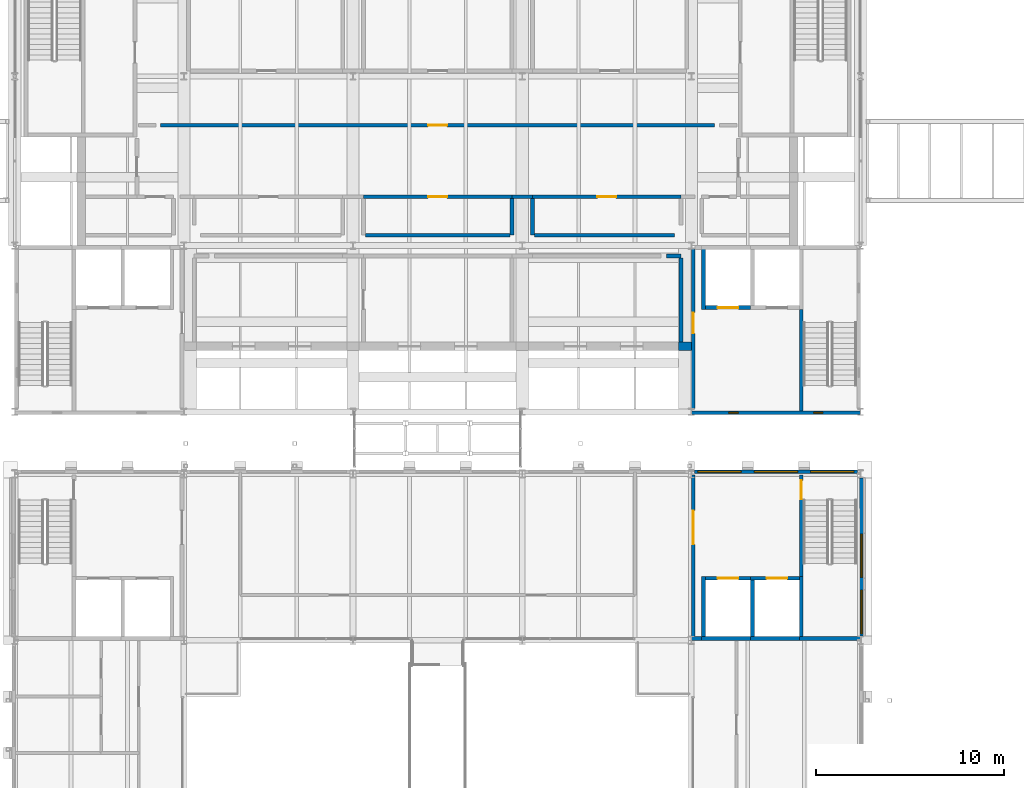
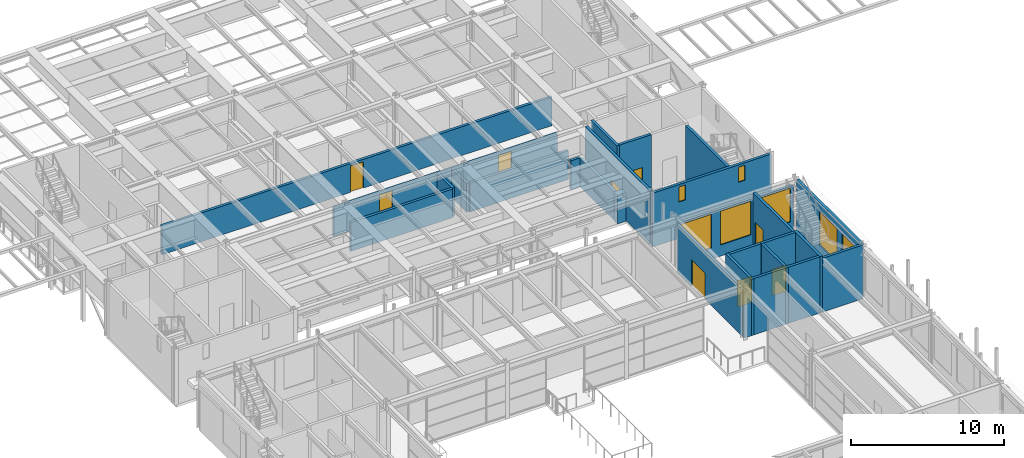
# One storey, part 105 of 153: 29 walls, 9 doors, 7 windows, 16 openings.
"""IFC4 building model written with IfcOpenShell, lengths in metres."""

from ifc_helpers import new_model, si_unit, direction, frame, frame_2d, origin, place, context, subcontext, project, spatial, rectangle, extrude, material, layer, layer_set, type_object, element, fill, save


model = new_model("IFC4")

# Units and contexts
model_context = context("Model", 3, precision=1e-05, world=origin(), true_north=direction((0.0, 1.0)))
body_context = subcontext(model_context, "Body", "Model", "MODEL_VIEW")
ifc_project = project(units=[si_unit("LENGTHUNIT", "METRE"), si_unit("AREAUNIT", "SQUARE_METRE"), si_unit("VOLUMEUNIT", "CUBIC_METRE"), si_unit("PLANEANGLEUNIT", "RADIAN"), si_unit("MASSUNIT", "GRAM", prefix="KILO")], contexts=[model_context])

# Site, building, storey
site_placement = place(None, origin())
site = spatial("IfcSite", under=ifc_project, at=site_placement, CompositionType="ELEMENT")
building_placement = place(site_placement, origin())
building = spatial("IfcBuilding", under=site, at=building_placement, Name="Kallimachos Central Library", CompositionType="ELEMENT")
storey_placement = place(building_placement, frame((0.0, 0.0, 5.39990234375)))
storey = spatial("IfcBuildingStorey", under=building, at=storey_placement, Name="L01", CompositionType="ELEMENT", Elevation=5.39990234375)

# Wall
ifc_material_1 = material(Name="Bronze-anodised aluminium louvres on blockwork", Category="masonry")
ifc_layer_1 = layer(ifc_material_1, 0.449951171875)
ifc_layer_set_1 = layer_set([ifc_layer_1], Name="Bronze louvre enclosure wall 450")
wall_type_1 = type_object("IfcWallType", Name="Bronze louvre enclosure wall 450", PredefinedType="SOLIDWALL", material=ifc_layer_set_1)
wall_1_placement = place(storey_placement, frame((100.824951171875, 90.64990234375, 0.0), z_axis=(0.0, 0.0, 1.0), x_axis=(1.0, 0.0, 0.0)))
element("IfcWall", 1, at=wall_1_placement, inside=storey, type_object=wall_type_1, Name="Louvre enclosure wall S L01", PredefinedType="SOLIDWALL", context=body_context, shape_type="SweptSolid", body=[
    extrude(rectangle(XDim=0.675048828125, YDim=0.449951171875, at=frame_2d((0.33740234375, 0.0))), origin(), (0.0, 0.0, 1.0), 2.300048828125),
])

# Wall, opening, door
ifc_material_2 = material(Name="Concrete C30/37", Category="concrete")
ifc_layer_2 = layer(ifc_material_2, 0.199951171875)
ifc_layer_set_2 = layer_set([ifc_layer_2], Name="Core wall 200")
wall_type_2 = type_object("IfcWallType", Name="Core wall 200", PredefinedType="SOLIDWALL", material=ifc_layer_set_2)
wall_2_placement = place(storey_placement, frame((101.60009765625, 87.33837890625, 0.0), z_axis=(0.0, 0.0, 1.0), x_axis=(0.0, 1.0, 0.0)))
wall_2 = element("IfcWall", 2, at=wall_2_placement, inside=storey, type_object=wall_type_2, Name="Core wall V1-SE W", PredefinedType="SOLIDWALL", context=body_context, shape_type="SweptSolid", body=[
    extrude(rectangle(XDim=8.47314453125, YDim=0.199951171875, at=frame_2d((4.236572265625, 0.0))), origin(), (0.0, 0.0, 1.0), 4.300048828125),
])
opening_1_placement = place(wall_2_placement, frame((3.986572265625, 0.0, 0.0)))
opening_1 = element("IfcOpeningElement", 3, at=opening_1_placement, cuts=wall_2, Name="Opening D227", PredefinedType="OPENING", context=body_context, shape_type="SweptSolid", body=[
    extrude(rectangle(XDim=1.10009765625, YDim=2.10009765625, at=frame_2d((0.550048828125, 1.050048828125))), frame((0.0, 0.10986328125, 0.0), z_axis=(0.0, -1.0, 0.0), x_axis=(1.0, 0.0, 0.0)), (0.0, 0.0, 1.0), 0.219970703125),
])
ifc_material_3 = material(Name="Steel fire door", Category="steel")
door_type_1 = type_object("IfcDoorType", Name="Fire door EI2 90 1100 x 2100", OperationType="NOTDEFINED", PredefinedType="DOOR", material=ifc_material_3)
door_1_placement = place(opening_1_placement, frame((1.10009765625, 0.0, 0.0), z_axis=(0.0, 0.0, 1.0), x_axis=(-1.0, 0.0, 0.0)))
door_1 = element("IfcDoor", 4, at=door_1_placement, inside=storey, type_object=door_type_1, Name="V1-DOR-L01-006", OperationType="SINGLE_SWING_LEFT", OverallHeight=2.10009765625, OverallWidth=1.10009765625, PredefinedType="DOOR", context=body_context, shape_type="SweptSolid", body=[
    extrude(rectangle(XDim=1.10009765625, YDim=2.10009765625, at=frame_2d((0.550048828125, 1.050048828125))), frame((0.0, 0.02490234375, 0.0), z_axis=(0.0, -1.0, 0.0), x_axis=(1.0, 0.0, 0.0)), (0.0, 0.0, 1.0), 0.050048828125),
])
fill(opening_1, door_1)

# Wall
wall_3_placement = place(storey_placement, frame((107.35009765625, 87.199951171875, 0.0), z_axis=(0.0, 0.0, 1.0), x_axis=(0.0, 1.0, 0.0)))
element("IfcWall", 5, at=wall_3_placement, inside=storey, type_object=wall_type_2, Name="Stair wall V1-SE", PredefinedType="SOLIDWALL", context=body_context, shape_type="SweptSolid", body=[
    extrude(rectangle(XDim=5.400146484375, YDim=0.199951171875, at=frame_2d((2.7001953125, 0.0))), origin(), (0.0, 0.0, 1.0), 4.300048828125),
])

# Wall, opening, door
ifc_material_4 = material(Name="Concrete C30/37", Category="concrete")
ifc_layer_3 = layer(ifc_material_4, 0.199951171875)
ifc_layer_set_3 = layer_set([ifc_layer_3], Name="Lift shaft wall 200")
wall_type_3 = type_object("IfcWallType", Name="Lift shaft wall 200", PredefinedType="SOLIDWALL", material=ifc_layer_set_3)
wall_4_placement = place(storey_placement, frame((104.64990234375, 78.300048828125, 0.0), z_axis=(0.0, 0.0, 1.0), x_axis=(1.0, 0.0, 0.0)))
wall_4 = element("IfcWall", 6, at=wall_4_placement, inside=storey, type_object=wall_type_3, Name="V4-WAL-L01-008", PredefinedType="SOLIDWALL", context=body_context, shape_type="SweptSolid", body=[
    extrude(rectangle(XDim=2.60009765625, YDim=0.199951171875, at=frame_2d((1.300048828125, 0.0))), origin(), (0.0, 0.0, 1.0), 4.5),
])
opening_2_placement = place(wall_4_placement, frame((0.85009765625, 0.0, 0.0)))
opening_2 = element("IfcOpeningElement", 7, at=opening_2_placement, cuts=wall_4, Name="Opening LD1100", PredefinedType="OPENING", context=body_context, shape_type="SweptSolid", body=[
    extrude(rectangle(XDim=1.10009765625, YDim=2.10009765625, at=frame_2d((0.550048828125, 1.050048828125))), frame((0.0, 0.10986328125, 0.0), z_axis=(0.0, -1.0, 0.0), x_axis=(1.0, 0.0, 0.0)), (0.0, 0.0, 1.0), 0.219970703125),
])
ifc_material_5 = material(Name="Stainless steel", Category="steel")
door_type_2 = type_object("IfcDoorType", Name="Lift landing door 1100 x 2100", OperationType="SLIDING_TO_LEFT", PredefinedType="DOOR", material=ifc_material_5)
door_2_placement = place(opening_2_placement, origin())
door_2 = element("IfcDoor", 8, at=door_2_placement, inside=storey, type_object=door_type_2, Name="LF9 landing door L01", OperationType="SLIDING_TO_LEFT", OverallHeight=2.10009765625, OverallWidth=1.10009765625, PredefinedType="DOOR", context=body_context, shape_type="SweptSolid", body=[
    extrude(rectangle(XDim=1.10009765625, YDim=2.10009765625, at=frame_2d((0.550048828125, 1.050048828125))), frame((0.0, 0.02490234375, 0.0), z_axis=(0.0, -1.0, 0.0), x_axis=(1.0, 0.0, 0.0)), (0.0, 0.0, 1.0), 0.050048828125),
])
fill(opening_2, door_2)

# Walls
wall_5_placement = place(storey_placement, frame((104.64990234375, 75.10009765625, 0.0), z_axis=(0.0, 0.0, 1.0), x_axis=(1.0, 0.0, 0.0)))
element("IfcWall", 9, at=wall_5_placement, inside=storey, type_object=wall_type_3, Name="V4-WAL-L01-009", PredefinedType="SOLIDWALL", context=body_context, shape_type="SweptSolid", body=[
    extrude(rectangle(XDim=2.60009765625, YDim=0.199951171875, at=frame_2d((1.300048828125, 0.0))), origin(), (0.0, 0.0, 1.0), 4.5),
])
for number, where, z_axis, x_axis, name in (
    (10, (104.75, 75.0, 0.0), (0.0, 0.0, 1.0), (0.0, 1.0, 0.0), "V4-WAL-L01-010"),
    (11, (107.35009765625, 75.0, 0.0), (0.0, 0.0, 1.0), (0.0, 1.0, 0.0), "V4-WAL-L01-011"),
):
    element("IfcWall", number, at=place(storey_placement, frame(where, z_axis=z_axis, x_axis=x_axis)), inside=storey, type_object=wall_type_3, Name=name, PredefinedType="SOLIDWALL", context=body_context, shape_type="SweptSolid", body=[
        extrude(rectangle(XDim=3.39990234375, YDim=0.199951171875, at=frame_2d((1.699951171875, 0.0))), origin(), (0.0, 0.0, 1.0), 4.5),
    ])

# Wall, opening, door
wall_6_placement = place(storey_placement, frame((102.25, 78.300048828125, 0.0), z_axis=(0.0, 0.0, 1.0), x_axis=(1.0, 0.0, 0.0)))
wall_6 = element("IfcWall", 12, at=wall_6_placement, inside=storey, type_object=wall_type_3, Name="V4-WAL-L01-012", PredefinedType="SOLIDWALL", context=body_context, shape_type="SweptSolid", body=[
    extrude(rectangle(XDim=2.39990234375, YDim=0.199951171875, at=frame_2d((1.199951171875, 0.0))), origin(), (0.0, 0.0, 1.0), 4.5),
])
opening_3_placement = place(wall_6_placement, frame((0.64990234375, 0.0, 0.0)))
opening_3 = element("IfcOpeningElement", 13, at=opening_3_placement, cuts=wall_6, Name="Opening LD1100", PredefinedType="OPENING", context=body_context, shape_type="SweptSolid", body=[
    extrude(rectangle(XDim=1.10009765625, YDim=2.10009765625, at=frame_2d((0.550048828125, 1.050048828125))), frame((0.0, 0.10986328125, 0.0), z_axis=(0.0, -1.0, 0.0), x_axis=(1.0, 0.0, 0.0)), (0.0, 0.0, 1.0), 0.219970703125),
])
door_3_placement = place(opening_3_placement, origin())
door_3 = element("IfcDoor", 14, at=door_3_placement, inside=storey, type_object=door_type_2, Name="LF10 landing door L01", OperationType="SLIDING_TO_LEFT", OverallHeight=2.10009765625, OverallWidth=1.10009765625, PredefinedType="DOOR", context=body_context, shape_type="SweptSolid", body=[
    extrude(rectangle(XDim=1.10009765625, YDim=2.10009765625, at=frame_2d((0.550048828125, 1.050048828125))), frame((0.0, 0.02490234375, 0.0), z_axis=(0.0, -1.0, 0.0), x_axis=(1.0, 0.0, 0.0)), (0.0, 0.0, 1.0), 0.050048828125),
])
fill(opening_3, door_3)

# Walls
wall_7_placement = place(storey_placement, frame((102.050048828125, 75.10009765625, 0.0), z_axis=(0.0, 0.0, 1.0), x_axis=(1.0, 0.0, 0.0)))
element("IfcWall", 15, at=wall_7_placement, inside=storey, type_object=wall_type_3, Name="V4-WAL-L01-013", PredefinedType="SOLIDWALL", context=body_context, shape_type="SweptSolid", body=[
    extrude(rectangle(XDim=2.599853515625, YDim=0.199951171875, at=frame_2d((1.2998046875, 0.0))), origin(), (0.0, 0.0, 1.0), 4.5),
])
wall_8_placement = place(storey_placement, frame((102.14990234375, 75.0, 0.0), z_axis=(0.0, 0.0, 1.0), x_axis=(0.0, 1.0, 0.0)))
element("IfcWall", 16, at=wall_8_placement, inside=storey, type_object=wall_type_3, Name="V4-WAL-L01-014", PredefinedType="SOLIDWALL", context=body_context, shape_type="SweptSolid", body=[
    extrude(rectangle(XDim=3.39990234375, YDim=0.199951171875, at=frame_2d((1.699951171875, 0.0))), origin(), (0.0, 0.0, 1.0), 4.5),
])

# Wall, opening, door
wall_9_placement = place(storey_placement, frame((102.25, 92.699951171875, 0.0), z_axis=(0.0, 0.0, 1.0), x_axis=(1.0, 0.0, 0.0)))
wall_9 = element("IfcWall", 17, at=wall_9_placement, inside=storey, type_object=wall_type_3, Name="V1-WAL-L01-013", PredefinedType="SOLIDWALL", context=body_context, shape_type="SweptSolid", body=[
    extrude(rectangle(XDim=2.39990234375, YDim=0.199951171875, at=frame_2d((1.199951171875, 0.0))), origin(), (0.0, 0.0, 1.0), 4.5),
])
opening_4_placement = place(wall_9_placement, frame((0.64990234375, 0.0, 0.0)))
opening_4 = element("IfcOpeningElement", 18, at=opening_4_placement, cuts=wall_9, Name="Opening LD1100", PredefinedType="OPENING", context=body_context, shape_type="SweptSolid", body=[
    extrude(rectangle(XDim=1.10009765625, YDim=2.10009765625, at=frame_2d((0.550048828125, 1.050048828125))), frame((0.0, 0.10986328125, 0.0), z_axis=(0.0, -1.0, 0.0), x_axis=(1.0, 0.0, 0.0)), (0.0, 0.0, 1.0), 0.219970703125),
])
door_4_placement = place(opening_4_placement, origin())
door_4 = element("IfcDoor", 19, at=door_4_placement, inside=storey, type_object=door_type_2, Name="LF4 landing door L01", OperationType="SLIDING_TO_LEFT", OverallHeight=2.10009765625, OverallWidth=1.10009765625, PredefinedType="DOOR", context=body_context, shape_type="SweptSolid", body=[
    extrude(rectangle(XDim=1.10009765625, YDim=2.10009765625, at=frame_2d((0.550048828125, 1.050048828125))), frame((0.0, 0.02490234375, 0.0), z_axis=(0.0, -1.0, 0.0), x_axis=(1.0, 0.0, 0.0)), (0.0, 0.0, 1.0), 0.050048828125),
])
fill(opening_4, door_4)

# Walls
wall_10_placement = place(storey_placement, frame((102.14990234375, 92.60009765625, 0.0), z_axis=(0.0, 0.0, 1.0), x_axis=(0.0, 1.0, 0.0)))
element("IfcWall", 20, at=wall_10_placement, inside=storey, type_object=wall_type_3, Name="V1-WAL-L01-014", PredefinedType="SOLIDWALL", context=body_context, shape_type="SweptSolid", body=[
    extrude(rectangle(XDim=3.39990234375, YDim=0.199951171875, at=frame_2d((1.699951171875, 0.0))), origin(), (0.0, 0.0, 1.0), 4.5),
])
ifc_material_6 = material(Name="Blockwork wall", Category="masonry")
ifc_layer_4 = layer(ifc_material_6, 0.199951171875)
ifc_layer_set_4 = layer_set([ifc_layer_4], Name="Plant room wall 200")
wall_type_4 = type_object("IfcWallType", Name="Plant room wall 200", PredefinedType="SOLIDWALL", material=ifc_layer_set_4)
wall_11_placement = place(storey_placement, frame((100.165771484375, 95.449951171875, 0.0), z_axis=(0.0, 0.0, 1.0), x_axis=(1.0, 0.0, 0.0)))
element("IfcWall", 21, at=wall_11_placement, inside=storey, type_object=wall_type_4, Name="Plant room wall", PredefinedType="SOLIDWALL", context=body_context, shape_type="SweptSolid", body=[
    extrude(rectangle(XDim=0.7841796875, YDim=0.199951171875, at=frame_2d((0.39208984375, 0.0))), origin(), (0.0, 0.0, 1.0), 2.300048828125),
])
wall_12_placement = place(storey_placement, frame((100.949951171875, 95.35009765625, 0.0), z_axis=(0.0, 0.0, 1.0), x_axis=(0.0, -1.0, 0.0)))
element("IfcWall", 22, at=wall_12_placement, inside=storey, type_object=wall_type_4, Name="Plant room wall", PredefinedType="SOLIDWALL", context=body_context, shape_type="SweptSolid", body=[
    extrude(rectangle(XDim=4.47509765625, YDim=0.199951171875, at=frame_2d((2.237548828125, 0.0))), origin(), (0.0, 0.0, 1.0), 2.300048828125),
])

# Wall, opening, door
wall_13_placement = place(storey_placement, frame((102.740966796875, 102.39990234375, 0.0), z_axis=(0.0, 0.0, 1.0), x_axis=(-1.0, 0.0, 0.0)))
wall_13 = element("IfcWall", 23, at=wall_13_placement, inside=storey, type_object=wall_type_4, Name="Plant room wall", PredefinedType="SOLIDWALL", context=body_context, shape_type="SweptSolid", body=[
    extrude(rectangle(XDim=29.48193359375, YDim=0.199951171875, at=frame_2d((14.740966796875, 0.0))), origin(), (0.0, 0.0, 1.0), 2.300048828125),
])
opening_5_placement = place(wall_13_placement, frame((14.240966796875, 0.0, 0.0)))
opening_5 = element("IfcOpeningElement", 24, at=opening_5_placement, cuts=wall_13, Name="Opening D252", PredefinedType="OPENING", context=body_context, shape_type="SweptSolid", body=[
    extrude(rectangle(XDim=1.0, YDim=2.10009765625, at=frame_2d((0.5, 1.050048828125))), frame((0.0, 0.10986328125, 0.0), z_axis=(0.0, -1.0, 0.0), x_axis=(1.0, 0.0, 0.0)), (0.0, 0.0, 1.0), 0.219970703125),
])
ifc_material_7 = material(Name="Steel fire door", Category="steel")
door_type_3 = type_object("IfcDoorType", Name="Fire door EI2 90 1000 x 2100", OperationType="NOTDEFINED", PredefinedType="DOOR", material=ifc_material_7)
door_5_placement = place(opening_5_placement, origin())
door_5 = element("IfcDoor", 25, at=door_5_placement, inside=storey, type_object=door_type_3, Name="V1-DOR-L01-009", OperationType="SINGLE_SWING_LEFT", OverallHeight=2.10009765625, OverallWidth=1.0, PredefinedType="DOOR", context=body_context, shape_type="SweptSolid", body=[
    extrude(rectangle(XDim=1.0, YDim=2.10009765625, at=frame_2d((0.5, 1.050048828125))), frame((0.0, 0.02490234375, 0.0), z_axis=(0.0, -1.0, 0.0), x_axis=(1.0, 0.0, 0.0)), (0.0, 0.0, 1.0), 0.050048828125),
])
fill(opening_5, door_5)

wall_14_placement = place(storey_placement, frame((100.949951171875, 98.60009765625, 0.0), z_axis=(0.0, 0.0, 1.0), x_axis=(-1.0, 0.0, 0.0)))
wall_14 = element("IfcWall", 26, at=wall_14_placement, inside=storey, type_object=wall_type_4, Name="Plant room wall", PredefinedType="SOLIDWALL", context=body_context, shape_type="SweptSolid", body=[
    extrude(rectangle(XDim=7.89990234375, YDim=0.199951171875, at=frame_2d((3.949951171875, 0.0))), origin(), (0.0, 0.0, 1.0), 2.300048828125),
])
opening_6_placement = place(wall_14_placement, frame((3.449951171875, 0.0, 0.0)))
opening_6 = element("IfcOpeningElement", 27, at=opening_6_placement, cuts=wall_14, Name="Opening D257", PredefinedType="OPENING", context=body_context, shape_type="SweptSolid", body=[
    extrude(rectangle(XDim=1.0, YDim=2.10009765625, at=frame_2d((0.5, 1.050048828125))), frame((0.0, 0.10986328125, 0.0), z_axis=(0.0, -1.0, 0.0), x_axis=(1.0, 0.0, 0.0)), (0.0, 0.0, 1.0), 0.219970703125),
])
door_6_placement = place(opening_6_placement, origin())
door_6 = element("IfcDoor", 28, at=door_6_placement, inside=storey, type_object=door_type_3, Name="V1-DOR-L01-014", OperationType="SINGLE_SWING_LEFT", OverallHeight=2.10009765625, OverallWidth=1.0, PredefinedType="DOOR", context=body_context, shape_type="SweptSolid", body=[
    extrude(rectangle(XDim=1.0, YDim=2.10009765625, at=frame_2d((0.5, 1.050048828125))), frame((0.0, 0.02490234375, 0.0), z_axis=(0.0, -1.0, 0.0), x_axis=(1.0, 0.0, 0.0)), (0.0, 0.0, 1.0), 0.050048828125),
])
fill(opening_6, door_6)

# Wall
wall_15_placement = place(storey_placement, frame((93.050048828125, 98.60009765625, 0.0), z_axis=(0.0, 0.0, 1.0), x_axis=(-1.0, 0.0, 0.0)))
element("IfcWall", 29, at=wall_15_placement, inside=storey, type_object=wall_type_4, Name="Plant room wall", PredefinedType="SOLIDWALL", context=body_context, shape_type="SweptSolid", body=[
    extrude(rectangle(XDim=1.10009765625, YDim=0.199951171875, at=frame_2d((0.550048828125, 0.0))), origin(), (0.0, 0.0, 1.0), 2.300048828125),
])

# Wall, opening, door
wall_16_placement = place(storey_placement, frame((91.949951171875, 98.60009765625, 0.0), z_axis=(0.0, 0.0, 1.0), x_axis=(-1.0, 0.0, 0.0)))
wall_16 = element("IfcWall", 30, at=wall_16_placement, inside=storey, type_object=wall_type_4, Name="Plant room wall", PredefinedType="SOLIDWALL", context=body_context, shape_type="SweptSolid", body=[
    extrude(rectangle(XDim=7.89990234375, YDim=0.199951171875, at=frame_2d((3.949951171875, 0.0))), origin(), (0.0, 0.0, 1.0), 2.300048828125),
])
opening_7_placement = place(wall_16_placement, frame((3.449951171875, 0.0, 0.0)))
opening_7 = element("IfcOpeningElement", 31, at=opening_7_placement, cuts=wall_16, Name="Opening D256", PredefinedType="OPENING", context=body_context, shape_type="SweptSolid", body=[
    extrude(rectangle(XDim=1.0, YDim=2.10009765625, at=frame_2d((0.5, 1.050048828125))), frame((0.0, 0.10986328125, 0.0), z_axis=(0.0, -1.0, 0.0), x_axis=(1.0, 0.0, 0.0)), (0.0, 0.0, 1.0), 0.219970703125),
])
door_7_placement = place(opening_7_placement, origin())
door_7 = element("IfcDoor", 32, at=door_7_placement, inside=storey, type_object=door_type_3, Name="V1-DOR-L01-013", OperationType="SINGLE_SWING_LEFT", OverallHeight=2.10009765625, OverallWidth=1.0, PredefinedType="DOOR", context=body_context, shape_type="SweptSolid", body=[
    extrude(rectangle(XDim=1.0, YDim=2.10009765625, at=frame_2d((0.5, 1.050048828125))), frame((0.0, 0.02490234375, 0.0), z_axis=(0.0, -1.0, 0.0), x_axis=(1.0, 0.0, 0.0)), (0.0, 0.0, 1.0), 0.050048828125),
])
fill(opening_7, door_7)

# Walls
wall_17_placement = place(storey_placement, frame((91.949951171875, 98.5, 0.0), z_axis=(0.0, 0.0, 1.0), x_axis=(0.0, -1.0, 0.0)))
element("IfcWall", 33, at=wall_17_placement, inside=storey, type_object=wall_type_4, Name="Plant room wall", PredefinedType="SOLIDWALL", context=body_context, shape_type="SweptSolid", body=[
    extrude(rectangle(XDim=1.949951171875, YDim=0.199951171875, at=frame_2d((0.97509765625, 0.0))), origin(), (0.0, 0.0, 1.0), 2.300048828125),
])
wall_18_placement = place(storey_placement, frame((91.85009765625, 96.550048828125, 0.0), z_axis=(0.0, 0.0, 1.0), x_axis=(-1.0, 0.0, 0.0)))
element("IfcWall", 34, at=wall_18_placement, inside=storey, type_object=wall_type_4, Name="Plant room wall", PredefinedType="SOLIDWALL", context=body_context, shape_type="SweptSolid", body=[
    extrude(rectangle(XDim=7.7001953125, YDim=0.199951171875, at=frame_2d((3.85009765625, 0.0))), origin(), (0.0, 0.0, 1.0), 2.300048828125),
])
wall_19_placement = place(storey_placement, frame((93.050048828125, 96.550048828125, 0.0), z_axis=(0.0, 0.0, 1.0), x_axis=(0.0, 1.0, 0.0)))
element("IfcWall", 35, at=wall_19_placement, inside=storey, type_object=wall_type_4, Name="Plant room wall", PredefinedType="SOLIDWALL", context=body_context, shape_type="SweptSolid", body=[
    extrude(rectangle(XDim=1.949951171875, YDim=0.199951171875, at=frame_2d((0.97509765625, 0.0))), origin(), (0.0, 0.0, 1.0), 2.300048828125),
])
wall_20_placement = place(storey_placement, frame((100.6123046875, 96.550048828125, 0.0), z_axis=(0.0, 0.0, 1.0), x_axis=(-1.0, 0.0, 0.0)))
element("IfcWall", 36, at=wall_20_placement, inside=storey, type_object=wall_type_4, Name="Plant room wall", PredefinedType="SOLIDWALL", context=body_context, shape_type="SweptSolid", body=[
    extrude(rectangle(XDim=7.46240234375, YDim=0.199951171875, at=frame_2d((3.731201171875, 0.0))), origin(), (0.0, 0.0, 1.0), 2.300048828125),
])
ifc_material_8 = material(Name="Concrete C35/45", Category="concrete")
ifc_layer_5 = layer(ifc_material_8, 0.199951171875)
ifc_layer_set_5 = layer_set([ifc_layer_5], Name="Shear core wall 200, internal")
wall_type_5 = type_object("IfcWallType", Name="Shear core wall 200, internal", PredefinedType="SHEAR", material=ifc_layer_set_5)
wall_21_placement = place(storey_placement, frame((101.5, 75.10009765625, 0.0), z_axis=(0.0, 0.0, 1.0), x_axis=(1.0, 0.0, 0.0)))
element("IfcWall", 37, at=wall_21_placement, inside=storey, type_object=wall_type_5, Name="L01 core wall V4-NE S", PredefinedType="SHEAR", context=body_context, shape_type="SweptSolid", body=[
    extrude(rectangle(XDim=0.550048828125, YDim=0.199951171875, at=frame_2d((0.27490234375, 0.0))), origin(), (0.0, 0.0, 1.0), 3.75),
])
wall_22_placement = place(storey_placement, frame((107.25, 75.10009765625, 0.0), z_axis=(0.0, 0.0, 1.0), x_axis=(1.0, 0.0, 0.0)))
element("IfcWall", 38, at=wall_22_placement, inside=storey, type_object=wall_type_5, Name="L01 core wall V4-NE S2", PredefinedType="SHEAR", context=body_context, shape_type="SweptSolid", body=[
    extrude(rectangle(XDim=3.25, YDim=0.199951171875, at=frame_2d((1.625, 0.0))), origin(), (0.0, 0.0, 1.0), 4.300048828125),
])

# Wall, opening, door
wall_23_placement = place(storey_placement, frame((101.60009765625, 75.199951171875, 0.0), z_axis=(0.0, 0.0, 1.0), x_axis=(0.0, 1.0, 0.0)))
wall_23 = element("IfcWall", 39, at=wall_23_placement, inside=storey, type_object=wall_type_5, Name="L01 core wall V4-NE E", PredefinedType="SHEAR", context=body_context, shape_type="SweptSolid", body=[
    extrude(rectangle(XDim=8.60009765625, YDim=0.199951171875, at=frame_2d((4.300048828125, 0.0))), origin(), (0.0, 0.0, 1.0), 3.75),
])
opening_8_placement = place(wall_23_placement, frame((4.89990234375, 0.0, 0.0)))
opening_8 = element("IfcOpeningElement", 40, at=opening_8_placement, cuts=wall_23, Name="Opening D158", PredefinedType="OPENING", context=body_context, shape_type="SweptSolid", body=[
    extrude(rectangle(XDim=1.800048828125, YDim=2.10009765625, at=frame_2d((0.89990234375, 1.050048828125))), frame((0.0, 0.10986328125, 0.0), z_axis=(0.0, -1.0, 0.0), x_axis=(1.0, 0.0, 0.0)), (0.0, 0.0, 1.0), 0.219970703125),
])
ifc_material_9 = material(Name="Timber and glass", Category="wood")
door_type_4 = type_object("IfcDoorType", Name="Double leaf door 1800 x 2100, EI2 90", OperationType="DOUBLE_DOOR_SINGLE_SWING", PredefinedType="DOOR", material=ifc_material_9)
door_8_placement = place(opening_8_placement, origin())
door_8 = element("IfcDoor", 41, at=door_8_placement, inside=storey, type_object=door_type_4, Name="L01 core door V4-NE", OperationType="DOUBLE_DOOR_SINGLE_SWING", OverallHeight=2.10009765625, OverallWidth=1.800048828125, PredefinedType="DOOR", context=body_context, shape_type="SweptSolid", body=[
    extrude(rectangle(XDim=1.800048828125, YDim=2.10009765625, at=frame_2d((0.89990234375, 1.050048828125))), frame((0.0, 0.02490234375, 0.0), z_axis=(0.0, -1.0, 0.0), x_axis=(1.0, 0.0, 0.0)), (0.0, 0.0, 1.0), 0.050048828125),
])
fill(opening_8, door_8)

wall_24_placement = place(storey_placement, frame((107.35009765625, 78.39990234375, 0.0), z_axis=(0.0, 0.0, 1.0), x_axis=(0.0, 1.0, 0.0)))
wall_24 = element("IfcWall", 42, at=wall_24_placement, inside=storey, type_object=wall_type_5, Name="L01 core wall V4-NE M", PredefinedType="SHEAR", context=body_context, shape_type="SweptSolid", body=[
    extrude(rectangle(XDim=5.400146484375, YDim=0.199951171875, at=frame_2d((2.7001953125, 0.0))), origin(), (0.0, 0.0, 1.0), 4.300048828125),
])
opening_9_placement = place(wall_24_placement, frame((4.10009765625, 0.0, 0.0)))
opening_9 = element("IfcOpeningElement", 43, at=opening_9_placement, cuts=wall_24, Name="Opening D163", PredefinedType="OPENING", context=body_context, shape_type="SweptSolid", body=[
    extrude(rectangle(XDim=1.0, YDim=2.10009765625, at=frame_2d((0.5, 1.050048828125))), frame((0.0, 0.10986328125, 0.0), z_axis=(0.0, -1.0, 0.0), x_axis=(1.0, 0.0, 0.0)), (0.0, 0.0, 1.0), 0.219970703125),
])
ifc_material_10 = material(Name="Timber", Category="wood")
door_type_5 = type_object("IfcDoorType", Name="Single leaf door 1000 x 2100, EI2 90", OperationType="NOTDEFINED", PredefinedType="DOOR", material=ifc_material_10)
door_9_placement = place(opening_9_placement, frame((1.0, 0.0, 0.0), z_axis=(0.0, 0.0, 1.0), x_axis=(-1.0, 0.0, 0.0)))
door_9 = element("IfcDoor", 44, at=door_9_placement, inside=storey, type_object=door_type_5, Name="L01 core door V4-NE", OperationType="SINGLE_SWING_LEFT", OverallHeight=2.10009765625, OverallWidth=1.0, PredefinedType="DOOR", context=body_context, shape_type="SweptSolid", body=[
    extrude(rectangle(XDim=1.0, YDim=2.10009765625, at=frame_2d((0.5, 1.050048828125))), frame((0.0, 0.02490234375, 0.0), z_axis=(0.0, -1.0, 0.0), x_axis=(1.0, 0.0, 0.0)), (0.0, 0.0, 1.0), 0.050048828125),
])
fill(opening_9, door_9)

# Wall, openings, windows
ifc_material_11 = material(Name="Concrete C30/37", Category="concrete")
ifc_layer_6 = layer(ifc_material_11, 0.199951171875)
ifc_layer_set_6 = layer_set([ifc_layer_6], Name="Stone-clad core wall 200")
wall_type_6 = type_object("IfcWallType", Name="Stone-clad core wall 200", PredefinedType="SOLIDWALL", material=ifc_layer_set_6)
wall_25_placement = place(storey_placement, frame((101.510986328125, 87.10009765625, 0.0), z_axis=(0.0, 0.0, 1.0), x_axis=(1.0, 0.0, 0.0)))
wall_25 = element("IfcWall", 45, at=wall_25_placement, inside=storey, type_object=wall_type_6, Name="Core wall V1-SE S", PredefinedType="SOLIDWALL", context=body_context, shape_type="SweptSolid", body=[
    extrude(rectangle(XDim=8.97802734375, YDim=0.199951171875, at=frame_2d((4.489013671875, 0.0))), origin(), (0.0, 0.0, 1.0), 4.300048828125),
])
opening_10_placement = place(wall_25_placement, frame((1.989013671875, 0.0, 2.89990234375)))
opening_10 = element("IfcOpeningElement", 46, at=opening_10_placement, cuts=wall_25, Name="Opening W118", PredefinedType="OPENING", context=body_context, shape_type="SweptSolid", body=[
    extrude(rectangle(XDim=0.5, YDim=1.199951171875, at=frame_2d((0.25, 0.60009765625))), frame((0.0, 0.10986328125, 0.0), z_axis=(0.0, -1.0, 0.0), x_axis=(1.0, 0.0, 0.0)), (0.0, 0.0, 1.0), 0.219970703125),
])
opening_11_placement = place(wall_25_placement, frame((6.489013671875, 0.0, 2.89990234375)))
opening_11 = element("IfcOpeningElement", 47, at=opening_11_placement, cuts=wall_25, Name="Opening W119", PredefinedType="OPENING", context=body_context, shape_type="SweptSolid", body=[
    extrude(rectangle(XDim=0.5, YDim=1.199951171875, at=frame_2d((0.25, 0.60009765625))), frame((0.0, 0.10986328125, 0.0), z_axis=(0.0, -1.0, 0.0), x_axis=(1.0, 0.0, 0.0)), (0.0, 0.0, 1.0), 0.219970703125),
])
ifc_material_12 = material(Name="Laminated glass in bronze-anodised aluminium frame", Category="aluminium")
window_type_1 = type_object("IfcWindowType", Name="Stair slot window 500x1200", PartitioningType="SINGLE_PANEL", PredefinedType="WINDOW", material=ifc_material_12)
window_1_placement = place(opening_10_placement, origin())
window_1 = element("IfcWindow", 48, at=window_1_placement, inside=storey, type_object=window_type_1, Name="V1-WIN-L01-023", OverallHeight=1.199951171875, OverallWidth=0.5, PartitioningType="SINGLE_PANEL", PredefinedType="WINDOW", context=body_context, shape_type="SweptSolid", body=[
    extrude(rectangle(XDim=0.5, YDim=1.199951171875, at=frame_2d((0.25, 0.60009765625))), frame((0.0, 0.030029296875, 0.0), z_axis=(0.0, -1.0, 0.0), x_axis=(1.0, 0.0, 0.0)), (0.0, 0.0, 1.0), 0.06005859375),
])
fill(opening_10, window_1)
window_2_placement = place(opening_11_placement, origin())
window_2 = element("IfcWindow", 49, at=window_2_placement, inside=storey, type_object=window_type_1, Name="V1-WIN-L01-024", OverallHeight=1.199951171875, OverallWidth=0.5, PartitioningType="SINGLE_PANEL", PredefinedType="WINDOW", context=body_context, shape_type="SweptSolid", body=[
    extrude(rectangle(XDim=0.5, YDim=1.199951171875, at=frame_2d((0.25, 0.60009765625))), frame((0.0, 0.030029296875, 0.0), z_axis=(0.0, -1.0, 0.0), x_axis=(1.0, 0.0, 0.0)), (0.0, 0.0, 1.0), 0.06005859375),
])
fill(opening_11, window_2)

ifc_material_13 = material(Name="Brick masonry with Pentelic marble cladding", Category="masonry")
ifc_layer_7 = layer(ifc_material_13, 0.199951171875)
ifc_layer_set_7 = layer_set([ifc_layer_7], Name="Stone-clad masonry wall 200, EI 120")
wall_type_7 = type_object("IfcWallType", Name="Stone-clad masonry wall 200, EI 120", PredefinedType="SOLIDWALL", material=ifc_layer_set_7)
wall_26_placement = place(storey_placement, frame((101.653564453125, 83.966064453125, 0.0), z_axis=(0.0, 0.0, 1.0), x_axis=(1.0, 0.0, 0.0)))
wall_26 = element("IfcWall", 50, at=wall_26_placement, inside=storey, type_object=wall_type_7, Name="V4-WAL-L01-024", PredefinedType="SOLIDWALL", context=body_context, shape_type="SweptSolid", body=[
    extrude(rectangle(XDim=8.69287109375, YDim=0.199951171875, at=frame_2d((4.346435546875, 0.0))), origin(), (0.0, 0.0, 1.0), 3.75),
])
opening_12_placement = place(wall_26_placement, frame((0.196533203125, 0.0, 0.89990234375)))
opening_12 = element("IfcOpeningElement", 51, at=opening_12_placement, cuts=wall_26, Name="Opening WN268", PredefinedType="OPENING", context=body_context, shape_type="SweptSolid", body=[
    extrude(rectangle(XDim=2.300048828125, YDim=2.699951171875, at=frame_2d((1.14990234375, 1.35009765625))), frame((0.0, 0.10986328125, 0.0), z_axis=(0.0, -1.0, 0.0), x_axis=(1.0, 0.0, 0.0)), (0.0, 0.0, 1.0), 0.219970703125),
])
opening_13_placement = place(wall_26_placement, frame((3.196533203125, 0.0, 0.89990234375)))
opening_13 = element("IfcOpeningElement", 52, at=opening_13_placement, cuts=wall_26, Name="Opening WN268", PredefinedType="OPENING", context=body_context, shape_type="SweptSolid", body=[
    extrude(rectangle(XDim=2.300048828125, YDim=2.699951171875, at=frame_2d((1.14990234375, 1.35009765625))), frame((0.0, 0.10986328125, 0.0), z_axis=(0.0, -1.0, 0.0), x_axis=(1.0, 0.0, 0.0)), (0.0, 0.0, 1.0), 0.219970703125),
])
opening_14_placement = place(wall_26_placement, frame((6.196533203125, 0.0, 0.89990234375)))
opening_14 = element("IfcOpeningElement", 53, at=opening_14_placement, cuts=wall_26, Name="Opening WN268", PredefinedType="OPENING", context=body_context, shape_type="SweptSolid", body=[
    extrude(rectangle(XDim=2.300048828125, YDim=2.699951171875, at=frame_2d((1.14990234375, 1.35009765625))), frame((0.0, 0.10986328125, 0.0), z_axis=(0.0, -1.0, 0.0), x_axis=(1.0, 0.0, 0.0)), (0.0, 0.0, 1.0), 0.219970703125),
])
ifc_material_14 = material(Name="Anodised aluminium and laminated glass", Category="aluminium")
window_type_2 = type_object("IfcWindowType", Name="Window 2300 x 2700, EI 120", PartitioningType="DOUBLE_PANEL_VERTICAL", PredefinedType="WINDOW", material=ifc_material_14)
window_3_placement = place(opening_12_placement, origin())
window_3 = element("IfcWindow", 54, at=window_3_placement, inside=storey, type_object=window_type_2, Name="V4-WIN-L01-027", OverallHeight=2.699951171875, OverallWidth=2.300048828125, PartitioningType="SINGLE_PANEL", PredefinedType="WINDOW", context=body_context, shape_type="SweptSolid", body=[
    extrude(rectangle(XDim=2.300048828125, YDim=2.699951171875, at=frame_2d((1.14990234375, 1.35009765625))), frame((0.0, 0.030029296875, 0.0), z_axis=(0.0, -1.0, 0.0), x_axis=(1.0, 0.0, 0.0)), (0.0, 0.0, 1.0), 0.06005859375),
])
fill(opening_12, window_3)
window_4_placement = place(opening_13_placement, origin())
window_4 = element("IfcWindow", 55, at=window_4_placement, inside=storey, type_object=window_type_2, Name="V4-WIN-L01-028", OverallHeight=2.699951171875, OverallWidth=2.300048828125, PartitioningType="SINGLE_PANEL", PredefinedType="WINDOW", context=body_context, shape_type="SweptSolid", body=[
    extrude(rectangle(XDim=2.300048828125, YDim=2.699951171875, at=frame_2d((1.14990234375, 1.35009765625))), frame((0.0, 0.030029296875, 0.0), z_axis=(0.0, -1.0, 0.0), x_axis=(1.0, 0.0, 0.0)), (0.0, 0.0, 1.0), 0.06005859375),
])
fill(opening_13, window_4)
window_5_placement = place(opening_14_placement, origin())
window_5 = element("IfcWindow", 56, at=window_5_placement, inside=storey, type_object=window_type_2, Name="V4-WIN-L01-029", OverallHeight=2.699951171875, OverallWidth=2.300048828125, PartitioningType="SINGLE_PANEL", PredefinedType="WINDOW", context=body_context, shape_type="SweptSolid", body=[
    extrude(rectangle(XDim=2.300048828125, YDim=2.699951171875, at=frame_2d((1.14990234375, 1.35009765625))), frame((0.0, 0.030029296875, 0.0), z_axis=(0.0, -1.0, 0.0), x_axis=(1.0, 0.0, 0.0)), (0.0, 0.0, 1.0), 0.06005859375),
])
fill(opening_14, window_5)

ifc_material_15 = material(Name="Brick masonry with Pentelic marble cladding", Category="masonry")
ifc_layer_8 = layer(ifc_material_15, 0.199951171875)
ifc_layer_set_8 = layer_set([ifc_layer_8], Name="Stone-clad masonry wall 200, load-bearing, EI 120")
wall_type_8 = type_object("IfcWallType", Name="Stone-clad masonry wall 200, load-bearing, EI 120", PredefinedType="SOLIDWALL", material=ifc_layer_set_8)
wall_27_placement = place(storey_placement, frame((110.553466796875, 75.216064453125, 0.0), z_axis=(0.0, 0.0, 1.0), x_axis=(0.0, 1.0, 0.0)))
wall_27 = element("IfcWall", 57, at=wall_27_placement, inside=storey, type_object=wall_type_8, Name="V4-WAL-L01-032", PredefinedType="SOLIDWALL", context=body_context, shape_type="SweptSolid", body=[
    extrude(rectangle(XDim=8.41796875, YDim=0.199951171875, at=frame_2d((4.208984375, 0.0))), origin(), (0.0, 0.0, 1.0), 4.300048828125),
])
opening_15_placement = place(wall_27_placement, frame((0.134033203125, 0.0, 0.89990234375)))
opening_15 = element("IfcOpeningElement", 58, at=opening_15_placement, cuts=wall_27, Name="Opening WN268", PredefinedType="OPENING", context=body_context, shape_type="SweptSolid", body=[
    extrude(rectangle(XDim=2.300048828125, YDim=2.699951171875, at=frame_2d((1.14990234375, 1.35009765625))), frame((0.0, 0.10986328125, 0.0), z_axis=(0.0, -1.0, 0.0), x_axis=(1.0, 0.0, 0.0)), (0.0, 0.0, 1.0), 0.219970703125),
])
opening_16_placement = place(wall_27_placement, frame((3.134033203125, 0.0, 0.89990234375)))
opening_16 = element("IfcOpeningElement", 59, at=opening_16_placement, cuts=wall_27, Name="Opening WN268", PredefinedType="OPENING", context=body_context, shape_type="SweptSolid", body=[
    extrude(rectangle(XDim=2.300048828125, YDim=2.699951171875, at=frame_2d((1.14990234375, 1.35009765625))), frame((0.0, 0.10986328125, 0.0), z_axis=(0.0, -1.0, 0.0), x_axis=(1.0, 0.0, 0.0)), (0.0, 0.0, 1.0), 0.219970703125),
])
window_6_placement = place(opening_15_placement, origin())
window_6 = element("IfcWindow", 60, at=window_6_placement, inside=storey, type_object=window_type_2, Name="V4-WIN-L01-048", OverallHeight=2.699951171875, OverallWidth=2.300048828125, PartitioningType="SINGLE_PANEL", PredefinedType="WINDOW", context=body_context, shape_type="SweptSolid", body=[
    extrude(rectangle(XDim=2.300048828125, YDim=2.699951171875, at=frame_2d((1.14990234375, 1.35009765625))), frame((0.0, 0.030029296875, 0.0), z_axis=(0.0, -1.0, 0.0), x_axis=(1.0, 0.0, 0.0)), (0.0, 0.0, 1.0), 0.06005859375),
])
fill(opening_15, window_6)
window_7_placement = place(opening_16_placement, origin())
window_7 = element("IfcWindow", 61, at=window_7_placement, inside=storey, type_object=window_type_2, Name="V4-WIN-L01-049", OverallHeight=2.699951171875, OverallWidth=2.300048828125, PartitioningType="SINGLE_PANEL", PredefinedType="WINDOW", context=body_context, shape_type="SweptSolid", body=[
    extrude(rectangle(XDim=2.300048828125, YDim=2.699951171875, at=frame_2d((1.14990234375, 1.35009765625))), frame((0.0, 0.030029296875, 0.0), z_axis=(0.0, -1.0, 0.0), x_axis=(1.0, 0.0, 0.0)), (0.0, 0.0, 1.0), 0.06005859375),
])
fill(opening_16, window_7)

save(model, "model.ifc")
